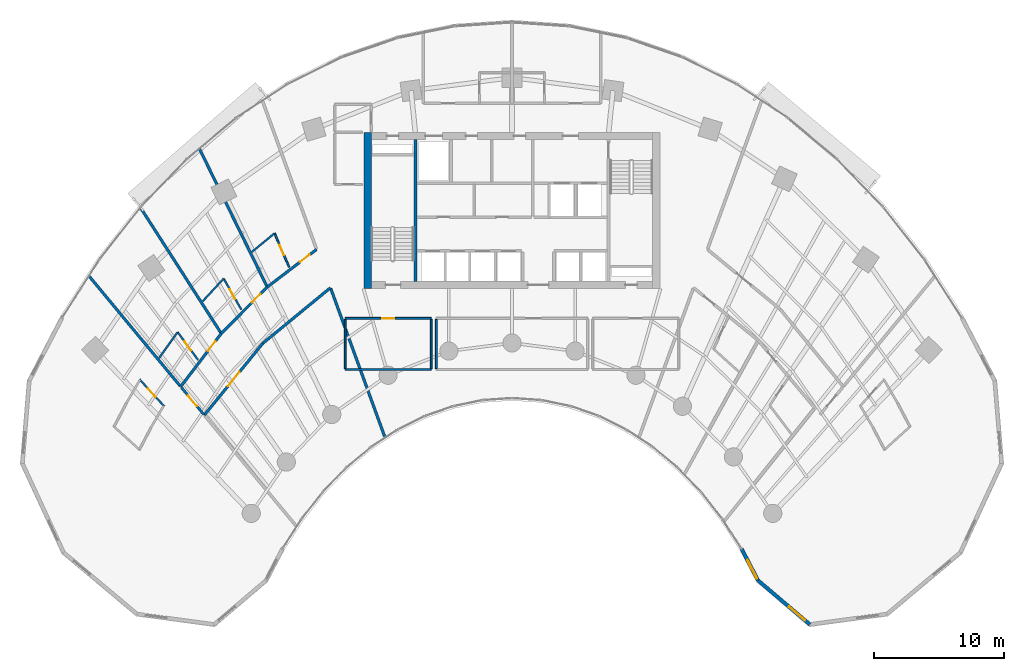
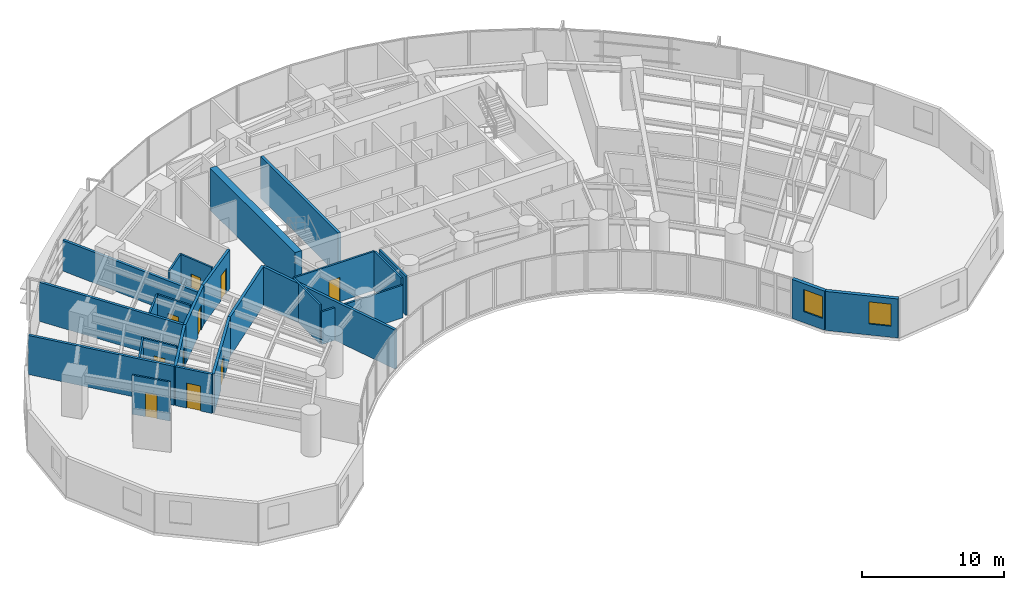
# One storey, part 11 of 17: 26 walls, 10 doors, 2 windows, 12 openings.
"""IFC4 building model written with IfcOpenShell, lengths in metres."""

from ifc_helpers import new_model, si_unit, direction, frame, frame_2d, origin, place, context, subcontext, project, spatial, rectangle, extrude, source, transform, mapped, material, layer, layer_set, type_object, type_shapes, element, fill, save


model = new_model("IFC4")

# Units and contexts
model_context = context("Model", 3, precision=1e-05, world=origin(), true_north=direction((0.0, 1.0)))
body_context = subcontext(model_context, "Body", "Model", "MODEL_VIEW")
ifc_project = project(units=[si_unit("LENGTHUNIT", "METRE"), si_unit("AREAUNIT", "SQUARE_METRE"), si_unit("VOLUMEUNIT", "CUBIC_METRE"), si_unit("PLANEANGLEUNIT", "RADIAN"), si_unit("MASSUNIT", "GRAM", prefix="KILO")], contexts=[model_context])

# Site, building, storey
site_placement = place(None, origin())
site = spatial("IfcSite", under=ifc_project, at=site_placement, CompositionType="ELEMENT")
building_placement = place(site_placement, origin())
building = spatial("IfcBuilding", under=site, at=building_placement, Name="Breltana Convention Tower", CompositionType="ELEMENT")
storey_placement = place(building_placement, frame((0.0, 0.0, 71.39990234375)))
storey = spatial("IfcBuildingStorey", under=building, at=storey_placement, Name="L16", CompositionType="ELEMENT", Elevation=71.39990234375)

# Walls
ifc_material_1 = material(Name="Concrete C60/75", Category="concrete")
ifc_layer_1 = layer(ifc_material_1, 0.550048828125, Name="Concrete C60/75")
ifc_layer_set_1 = layer_set([ifc_layer_1], Name="Concrete C60/75")
wall_type_1 = type_object("IfcWallType", Name="SW-CORE-550", PredefinedType="SHEAR", material=ifc_layer_set_1)
shared_shape_1 = source(origin(), body_context, "Body", "SweptSolid", [
    extrude(rectangle(XDim=12.0, YDim=0.550048828125, at=frame_2d((6.0, 0.0))), origin(), (0.0, 0.0, 1.0), 3.60009765625),
])
wall_1_placement = place(storey_placement, frame((36.925048828125, 60.199951171875, 0.0), z_axis=(0.0, 0.0, 1.0), x_axis=(0.0, 1.0, 0.0)))
element("IfcWall", 1, at=wall_1_placement, inside=storey, type_object=wall_type_1, Name="L16 West Core Shear Wall", PredefinedType="SHEAR", context=body_context, shape_type="MappedRepresentation", body=[
    mapped(shared_shape_1, transform((0.0, 0.0, 0.0), scale=1.0)),
])
ifc_material_2 = material(Name="Concrete C50/60", Category="concrete")
ifc_layer_2 = layer(ifc_material_2, 0.39990234375, Name="Concrete C50/60")
ifc_layer_set_2 = layer_set([ifc_layer_2], Name="Concrete C50/60")
wall_type_2 = type_object("IfcWallType", Name="SW-CORE-400", PredefinedType="SHEAR", material=ifc_layer_set_2)
shared_shape_2 = source(origin(), body_context, "Body", "SweptSolid", [
    extrude(rectangle(XDim=10.89990234375, YDim=0.219970703125, at=frame_2d((5.449951171875, 0.0))), origin(), (0.0, 0.0, 1.0), 3.60009765625),
])
wall_2_placement = place(storey_placement, frame((40.580078125, 60.75, 0.0), z_axis=(0.0, 0.0, 1.0), x_axis=(0.0, 1.0, 0.0)))
element("IfcWall", 2, at=wall_2_placement, inside=storey, type_object=wall_type_2, Name="L16 Core West Stair Spine Wall", PredefinedType="SHEAR", context=body_context, shape_type="MappedRepresentation", body=[
    mapped(shared_shape_2, transform((0.0, 0.0, 0.0), scale=1.0)),
])

# Wall, opening, window
ifc_material_3 = material(Name="Limestone Buff Insulated Wall", Category="masonry")
ifc_layer_3 = layer(ifc_material_3, 0.280029296875, Name="Limestone Buff Insulated Wall")
ifc_layer_set_3 = layer_set([ifc_layer_3], Name="Limestone Buff Insulated Wall")
wall_type_3 = type_object("IfcWallType", Name="WL-EXT-NOSE-280", PredefinedType="SOLIDWALL", material=ifc_layer_set_3)
shared_shape_3 = source(origin(), body_context, "Body", "SweptSolid", [
    extrude(rectangle(XDim=5.222412109375, YDim=0.280029296875, at=frame_2d((2.611328125, 0.0))), origin(), (0.0, 0.0, 1.0), 3.360107421875),
])
wall_3_placement = place(storey_placement, frame((70.8642578125, 34.4248046875, 0.0), z_axis=(0.0, 0.0, 1.0), x_axis=(-0.761900099546, 0.647694556339, 0.0)))
wall_3 = element("IfcWall", 3, at=wall_3_placement, inside=storey, type_object=wall_type_3, Name="L16 curved limestone nose wall E5", PredefinedType="SOLIDWALL", context=body_context, shape_type="MappedRepresentation", body=[
    mapped(shared_shape_3, transform((0.0, 0.0, 0.0), scale=1.0)),
])
opening_1_placement = place(wall_3_placement, frame((0.505615234375, 0.0, 0.949951171875)))
opening_1 = element("IfcOpeningElement", 4, at=opening_1_placement, cuts=wall_3, Name="Opening W-04", PredefinedType="OPENING", context=body_context, shape_type="SweptSolid", body=[
    extrude(rectangle(XDim=1.60009765625, YDim=1.89990234375, at=frame_2d((0.800048828125, 0.949951171875))), frame((0.0, 0.14990234375, 0.0), z_axis=(0.0, -1.0, 0.0), x_axis=(1.0, 0.0, 0.0)), (0.0, 0.0, 1.0), 0.300048828125),
])
ifc_material_4 = material(Name="Glass Low-E Insulated Window", Category="glass")
window_type = type_object("IfcWindowType", Name="WN-NOSE-1600X1900", PartitioningType="SINGLE_PANEL", PredefinedType="WINDOW", material=ifc_material_4)
shared_shape_4 = source(origin(), body_context, "Body", "SweptSolid", [
    extrude(rectangle(XDim=1.60009765625, YDim=1.89990234375, at=frame_2d((0.800048828125, 0.949951171875))), frame((0.0, 0.030029296875, 0.0), z_axis=(0.0, -1.0, 0.0), x_axis=(1.0, 0.0, 0.0)), (0.0, 0.0, 1.0), 0.06005859375),
])
type_shapes(window_type, [shared_shape_4])
window_1_placement = place(opening_1_placement, origin())
window_1 = element("IfcWindow", 5, at=window_1_placement, inside=storey, type_object=window_type, Name="L16 nose window E5", OverallHeight=1.89990234375, OverallWidth=1.60009765625, PartitioningType="SINGLE_PANEL", PredefinedType="WINDOW", context=body_context, shape_type="MappedRepresentation", body=[
    mapped(shared_shape_4, transform((0.0, 0.0, 0.0), scale=1.0)),
])
fill(opening_1, window_1)

shared_shape_5 = source(origin(), body_context, "Body", "SweptSolid", [
    extrude(rectangle(XDim=2.7353515625, YDim=0.280029296875, at=frame_2d((1.36767578125, 0.0))), origin(), (0.0, 0.0, 1.0), 3.360107421875),
])
wall_4_placement = place(storey_placement, frame((66.88525390625, 37.807373046875, 0.0), z_axis=(0.0, 0.0, 1.0), x_axis=(-0.46179107292, 0.886988728774, 0.0)))
wall_4 = element("IfcWall", 6, at=wall_4_placement, inside=storey, type_object=wall_type_3, Name="L16 curved limestone nose wall E6", PredefinedType="SOLIDWALL", context=body_context, shape_type="MappedRepresentation", body=[
    mapped(shared_shape_5, transform((0.0, 0.0, 0.0), scale=1.0)),
])
opening_2_placement = place(wall_4_placement, frame((0.159912109375, 0.0, 0.949951171875)))
opening_2 = element("IfcOpeningElement", 7, at=opening_2_placement, cuts=wall_4, Name="Opening W-04", PredefinedType="OPENING", context=body_context, shape_type="SweptSolid", body=[
    extrude(rectangle(XDim=1.60009765625, YDim=1.89990234375, at=frame_2d((0.800048828125, 0.949951171875))), frame((0.0, 0.14990234375, 0.0), z_axis=(0.0, -1.0, 0.0), x_axis=(1.0, 0.0, 0.0)), (0.0, 0.0, 1.0), 0.300048828125),
])
window_2_placement = place(opening_2_placement, origin())
window_2 = element("IfcWindow", 8, at=window_2_placement, inside=storey, type_object=window_type, Name="L16 nose window E6", OverallHeight=1.89990234375, OverallWidth=1.60009765625, PartitioningType="SINGLE_PANEL", PredefinedType="WINDOW", context=body_context, shape_type="MappedRepresentation", body=[
    mapped(shared_shape_4, transform((0.0, 0.0, 0.0), scale=1.0)),
])
fill(opening_2, window_2)

# Wall
ifc_material_5 = material(Name="Gypsum Acoustic Drywall Partition")
ifc_layer_4 = layer(ifc_material_5, 0.14990234375, Name="Gypsum Acoustic Drywall Partition")
ifc_layer_set_4 = layer_set([ifc_layer_4], Name="Gypsum Acoustic Drywall Partition")
wall_type_4 = type_object("IfcWallType", Name="WL-PART-150", PredefinedType="PARTITIONING", material=ifc_layer_set_4)
shared_shape_6 = source(origin(), body_context, "Body", "SweptSolid", [
    extrude(rectangle(XDim=6.60009765625, YDim=0.14990234375, at=frame_2d((3.300048828125, 0.0))), origin(), (0.0, 0.0, 1.0), 2.802978515625),
])
wall_5_placement = place(storey_placement, frame((35.199951171875, 54.0, 0.0), z_axis=(0.0, 0.0, 1.0), x_axis=(1.0, 0.0, 0.0)))
element("IfcWall", 9, at=wall_5_placement, inside=storey, type_object=wall_type_4, Name="L16 interior partition W-L16-HSK-S", PredefinedType="PARTITIONING", context=body_context, shape_type="MappedRepresentation", body=[
    mapped(shared_shape_6, transform((0.0, 0.0, 0.0), scale=1.0)),
])

# Wall, opening, door
shared_shape_7 = source(origin(), body_context, "Body", "SweptSolid", [
    extrude(rectangle(XDim=6.60009765625, YDim=0.14990234375, at=frame_2d((3.300048828125, 0.0))), origin(), (0.0, 0.0, 1.0), 3.360107421875),
])
wall_6_placement = place(storey_placement, frame((35.199951171875, 57.919921875, 0.0), z_axis=(0.0, 0.0, 1.0), x_axis=(1.0, 0.0, 0.0)))
wall_6 = element("IfcWall", 10, at=wall_6_placement, inside=storey, type_object=wall_type_4, Name="L16 interior partition W-L16-HSK-N", PredefinedType="PARTITIONING", context=body_context, shape_type="MappedRepresentation", body=[
    mapped(shared_shape_7, transform((0.0, 0.0, 0.0), scale=1.0)),
])
opening_3_placement = place(wall_6_placement, frame((2.85009765625, 0.0, 0.0)))
opening_3 = element("IfcOpeningElement", 11, at=opening_3_placement, cuts=wall_6, Name="Opening D-18", PredefinedType="OPENING", context=body_context, shape_type="SweptSolid", body=[
    extrude(rectangle(XDim=0.89990234375, YDim=2.10009765625, at=frame_2d((0.449951171875, 1.050048828125))), frame((0.0, 0.0849609375, 0.0), z_axis=(0.0, -1.0, 0.0), x_axis=(1.0, 0.0, 0.0)), (0.0, 0.0, 1.0), 0.169921875),
])
ifc_material_6 = material(Name="Steel Riser Fire Door", Category="steel")
door_type_1 = type_object("IfcDoorType", Name="DR-FD60-900", OperationType="NOTDEFINED", PredefinedType="DOOR", material=ifc_material_6)
shared_shape_8 = source(origin(), body_context, "Body", "SweptSolid", [
    extrude(rectangle(XDim=0.89990234375, YDim=2.10009765625, at=frame_2d((0.449951171875, 1.050048828125))), frame((0.0, 0.02490234375, 0.0), z_axis=(0.0, -1.0, 0.0), x_axis=(1.0, 0.0, 0.0)), (0.0, 0.0, 1.0), 0.050048828125),
])
type_shapes(door_type_1, [shared_shape_8])
door_1_placement = place(opening_3_placement, origin())
door_1 = element("IfcDoor", 12, at=door_1_placement, inside=storey, type_object=door_type_1, Name="L16 interior door D-L16-HSK", OperationType="SINGLE_SWING_RIGHT", OverallHeight=2.10009765625, OverallWidth=0.89990234375, PredefinedType="DOOR", context=body_context, shape_type="MappedRepresentation", body=[
    mapped(shared_shape_8, transform((0.0, 0.0, 0.0), scale=1.0)),
])
fill(opening_3, door_1)

# Walls
shared_shape_9 = source(origin(), body_context, "Body", "SweptSolid", [
    extrude(rectangle(XDim=3.78515625, YDim=0.14990234375, at=frame_2d((1.892578125, 0.0))), origin(), (0.0, 0.0, 1.0), 3.360107421875),
])
for number, where, z_axis, x_axis, name in (
    (13, (35.199951171875, 54.0673828125, 0.0), (0.0, 0.0, 1.0), (0.0, 1.0, 0.0), "L16 interior partition W-L16-HSK-W"),
    (14, (41.800048828125, 54.0673828125, 0.0), (0.0, 0.0, 1.0), (0.0, 1.0, 0.0), "L16 interior partition W-L16-HSK-E"),
    (15, (42.199951171875, 54.0673828125, 0.0), (0.0, 0.0, 1.0), (0.0, 1.0, 0.0), "L16 interior partition W-L16-HLG-W"),
):
    element("IfcWall", number, at=place(storey_placement, frame(where, z_axis=z_axis, x_axis=x_axis)), inside=storey, type_object=wall_type_4, Name=name, PredefinedType="PARTITIONING", context=body_context, shape_type="MappedRepresentation", body=[
        mapped(shared_shape_9, transform((0.0, 0.0, 0.0), scale=1.0)),
    ])

# Wall, opening, door
ifc_material_7 = material(Name="Gypsum Acoustic Hotel Wall")
ifc_layer_5 = layer(ifc_material_7, 0.195068359375, Name="Gypsum Acoustic Hotel Wall")
ifc_layer_set_5 = layer_set([ifc_layer_5], Name="Gypsum Acoustic Hotel Wall")
wall_type_5 = type_object("IfcWallType", Name="WL-HOTEL-200", PredefinedType="PARTITIONING", material=ifc_layer_set_5)
shared_shape_10 = source(origin(), body_context, "Body", "SweptSolid", [
    extrude(rectangle(XDim=2.748291015625, YDim=0.195068359375, at=frame_2d((1.3740234375, 0.0))), origin(), (0.0, 0.0, 1.0), 3.360107421875),
])
wall_7_placement = place(storey_placement, frame((24.35302734375, 50.531005859375, 0.0), z_axis=(0.0, 0.0, 1.0), x_axis=(-0.638111168284, 0.769944242729, 0.0)))
wall_7 = element("IfcWall", 16, at=wall_7_placement, inside=storey, type_object=wall_type_5, Name="L16 interior partition W-L16-CS-W-END", PredefinedType="PARTITIONING", context=body_context, shape_type="MappedRepresentation", body=[
    mapped(shared_shape_10, transform((0.0, 0.0, 0.0), scale=1.0)),
])
opening_4_placement = place(wall_7_placement, frame((0.84912109375, 0.0, 0.0)))
opening_4 = element("IfcOpeningElement", 17, at=opening_4_placement, cuts=wall_7, Name="Opening D-13", PredefinedType="OPENING", context=body_context, shape_type="SweptSolid", body=[
    extrude(rectangle(XDim=1.050048828125, YDim=2.14990234375, at=frame_2d((0.52490234375, 1.074951171875))), frame((0.0, 0.107421875, 0.0), z_axis=(0.0, -1.0, 0.0), x_axis=(1.0, 0.0, 0.0)), (0.0, 0.0, 1.0), 0.215087890625),
])
ifc_material_8 = material(Name="Timber Solid-Core Fire Door", Category="wood")
door_type_2 = type_object("IfcDoorType", Name="DR-FD60-1050", OperationType="NOTDEFINED", PredefinedType="DOOR", material=ifc_material_8)
shared_shape_11 = source(origin(), body_context, "Body", "SweptSolid", [
    extrude(rectangle(XDim=1.050048828125, YDim=2.14990234375, at=frame_2d((0.52490234375, 1.074951171875))), frame((0.0, 0.02490234375, 0.0), z_axis=(0.0, -1.0, 0.0), x_axis=(1.0, 0.0, 0.0)), (0.0, 0.0, 1.0), 0.050048828125),
])
type_shapes(door_type_2, [shared_shape_11])
door_2_placement = place(opening_4_placement, origin())
door_2 = element("IfcDoor", 18, at=door_2_placement, inside=storey, type_object=door_type_2, Name="L16 interior door D-L16-CS-W", OperationType="SINGLE_SWING_LEFT", OverallHeight=2.14990234375, OverallWidth=1.050048828125, PredefinedType="DOOR", context=body_context, shape_type="MappedRepresentation", body=[
    mapped(shared_shape_11, transform((0.0, 0.0, 0.0), scale=1.0)),
])
fill(opening_4, door_2)

ifc_material_9 = material(Name="Moisture-Resistant En-Suite Partition")
ifc_layer_6 = layer(ifc_material_9, 0.139892578125, Name="Moisture-Resistant En-Suite Partition")
ifc_layer_set_6 = layer_set([ifc_layer_6], Name="Moisture-Resistant En-Suite Partition")
wall_type_6 = type_object("IfcWallType", Name="WL-WET-150", PredefinedType="PARTITIONING", material=ifc_layer_set_6)
shared_shape_12 = source(origin(), body_context, "Body", "SweptSolid", [
    extrude(rectangle(XDim=2.812255859375, YDim=0.139892578125, at=frame_2d((1.40625, 0.0))), origin(), (0.0, 0.0, 1.0), 3.360107421875),
])
wall_8_placement = place(storey_placement, frame((21.30322265625, 51.176513671875, 0.0), z_axis=(0.0, 0.0, 1.0), x_axis=(-0.675119025852, 0.737708818527, 0.0)))
wall_8 = element("IfcWall", 19, at=wall_8_placement, inside=storey, type_object=wall_type_6, Name="L16 interior partition W-L16-CSENS-W-W", PredefinedType="PARTITIONING", context=body_context, shape_type="MappedRepresentation", body=[
    mapped(shared_shape_12, transform((0.0, 0.0, 0.0), scale=1.0)),
])
opening_5_placement = place(wall_8_placement, frame((0.981201171875, 0.0, 0.0)))
opening_5 = element("IfcOpeningElement", 20, at=opening_5_placement, cuts=wall_8, Name="Opening D-21", PredefinedType="OPENING", context=body_context, shape_type="SweptSolid", body=[
    extrude(rectangle(XDim=0.85009765625, YDim=2.050048828125, at=frame_2d((0.425048828125, 1.02490234375))), frame((0.0, 0.080078125, 0.0), z_axis=(0.0, -1.0, 0.0), x_axis=(1.0, 0.0, 0.0)), (0.0, 0.0, 1.0), 0.159912109375),
])
ifc_material_10 = material(Name="Timber Moisture-Resistant En-Suite Door", Category="wood")
door_type_3 = type_object("IfcDoorType", Name="DR-WET-850", OperationType="NOTDEFINED", PredefinedType="DOOR", material=ifc_material_10)
shared_shape_13 = source(origin(), body_context, "Body", "SweptSolid", [
    extrude(rectangle(XDim=0.85009765625, YDim=2.050048828125, at=frame_2d((0.425048828125, 1.02490234375))), frame((0.0, 0.02490234375, 0.0), z_axis=(0.0, -1.0, 0.0), x_axis=(1.0, 0.0, 0.0)), (0.0, 0.0, 1.0), 0.050048828125),
])
type_shapes(door_type_3, [shared_shape_13])
door_3_placement = place(opening_5_placement, origin())
door_3 = element("IfcDoor", 21, at=door_3_placement, inside=storey, type_object=door_type_3, Name="L16 interior door D-L16-CSENS-W", OperationType="SINGLE_SWING_RIGHT", OverallHeight=2.050048828125, OverallWidth=0.85009765625, PredefinedType="DOOR", context=body_context, shape_type="MappedRepresentation", body=[
    mapped(shared_shape_13, transform((0.0, 0.0, 0.0), scale=1.0)),
])
fill(opening_5, door_3)

# Wall
shared_shape_14 = source(origin(), body_context, "Body", "SweptSolid", [
    extrude(rectangle(XDim=2.260498046875, YDim=0.139892578125, at=frame_2d((1.13037109375, 0.0))), origin(), (0.0, 0.0, 1.0), 3.360107421875),
])
wall_9_placement = place(storey_placement, frame((28.029296875, 63.01953125, 0.0), z_axis=(0.0, 0.0, 1.0), x_axis=(0.772646789219, 0.634836151388, 0.0)))
element("IfcWall", 22, at=wall_9_placement, inside=storey, type_object=wall_type_6, Name="L16 interior partition W-L16-ST03E-BK", PredefinedType="PARTITIONING", context=body_context, shape_type="MappedRepresentation", body=[
    mapped(shared_shape_14, transform((0.0, 0.0, 0.0), scale=1.0)),
])

# Wall, opening, door
shared_shape_15 = source(origin(), body_context, "Body", "SweptSolid", [
    extrude(rectangle(XDim=2.81884765625, YDim=0.139892578125, at=frame_2d((1.409423828125, 0.0))), origin(), (0.0, 0.0, 1.0), 3.360107421875),
])
wall_10_placement = place(storey_placement, frame((30.8876953125, 61.8642578125, 0.0), z_axis=(0.0, 0.0, 1.0), x_axis=(-0.394420979357, 0.918929861874, 0.0)))
wall_10 = element("IfcWall", 23, at=wall_10_placement, inside=storey, type_object=wall_type_6, Name="L16 interior partition W-L16-ST03E-SD", PredefinedType="PARTITIONING", context=body_context, shape_type="MappedRepresentation", body=[
    mapped(shared_shape_15, transform((0.0, 0.0, 0.0), scale=1.0)),
])
opening_6_placement = place(wall_10_placement, frame((0.984375, 0.0, 0.0)))
opening_6 = element("IfcOpeningElement", 24, at=opening_6_placement, cuts=wall_10, Name="Opening D-21", PredefinedType="OPENING", context=body_context, shape_type="SweptSolid", body=[
    extrude(rectangle(XDim=0.85009765625, YDim=2.050048828125, at=frame_2d((0.425048828125, 1.02490234375))), frame((0.0, 0.080078125, 0.0), z_axis=(0.0, -1.0, 0.0), x_axis=(1.0, 0.0, 0.0)), (0.0, 0.0, 1.0), 0.159912109375),
])
door_4_placement = place(opening_6_placement, origin())
door_4 = element("IfcDoor", 25, at=door_4_placement, inside=storey, type_object=door_type_3, Name="L16 interior door D-L16-ST03E", OperationType="SINGLE_SWING_RIGHT", OverallHeight=2.050048828125, OverallWidth=0.85009765625, PredefinedType="DOOR", context=body_context, shape_type="MappedRepresentation", body=[
    mapped(shared_shape_13, transform((0.0, 0.0, 0.0), scale=1.0)),
])
fill(opening_6, door_4)

# Wall
shared_shape_16 = source(origin(), body_context, "Body", "SweptSolid", [
    extrude(rectangle(XDim=2.38037109375, YDim=0.139892578125, at=frame_2d((1.190185546875, 0.0))), origin(), (0.0, 0.0, 1.0), 3.360107421875),
])
wall_11_placement = place(storey_placement, frame((24.2529296875, 59.231201171875, 0.0), z_axis=(0.0, 0.0, 1.0), x_axis=(0.679084816758, 0.734059814762, 0.0)))
element("IfcWall", 26, at=wall_11_placement, inside=storey, type_object=wall_type_6, Name="L16 interior partition W-L16-ST02E-BK", PredefinedType="PARTITIONING", context=body_context, shape_type="MappedRepresentation", body=[
    mapped(shared_shape_16, transform((0.0, 0.0, 0.0), scale=1.0)),
])

# Wall, opening, door
shared_shape_17 = source(origin(), body_context, "Body", "SweptSolid", [
    extrude(rectangle(XDim=2.734619140625, YDim=0.139892578125, at=frame_2d((1.3671875, 0.0))), origin(), (0.0, 0.0, 1.0), 3.360107421875),
])
wall_12_placement = place(storey_placement, frame((27.219482421875, 58.600341796875, 0.0), z_axis=(0.0, 0.0, 1.0), x_axis=(-0.493694940578, 0.869635156631, 0.0)))
wall_12 = element("IfcWall", 27, at=wall_12_placement, inside=storey, type_object=wall_type_6, Name="L16 interior partition W-L16-ST02E-SD", PredefinedType="PARTITIONING", context=body_context, shape_type="MappedRepresentation", body=[
    mapped(shared_shape_17, transform((0.0, 0.0, 0.0), scale=1.0)),
])
opening_7_placement = place(wall_12_placement, frame((0.9423828125, 0.0, 0.0)))
opening_7 = element("IfcOpeningElement", 28, at=opening_7_placement, cuts=wall_12, Name="Opening D-21", PredefinedType="OPENING", context=body_context, shape_type="SweptSolid", body=[
    extrude(rectangle(XDim=0.85009765625, YDim=2.050048828125, at=frame_2d((0.425048828125, 1.02490234375))), frame((0.0, 0.080078125, 0.0), z_axis=(0.0, -1.0, 0.0), x_axis=(1.0, 0.0, 0.0)), (0.0, 0.0, 1.0), 0.159912109375),
])
door_5_placement = place(opening_7_placement, origin())
door_5 = element("IfcDoor", 29, at=door_5_placement, inside=storey, type_object=door_type_3, Name="L16 interior door D-L16-ST02E", OperationType="SINGLE_SWING_RIGHT", OverallHeight=2.050048828125, OverallWidth=0.85009765625, PredefinedType="DOOR", context=body_context, shape_type="MappedRepresentation", body=[
    mapped(shared_shape_13, transform((0.0, 0.0, 0.0), scale=1.0)),
])
fill(opening_7, door_5)

# Wall
shared_shape_18 = source(origin(), body_context, "Body", "SweptSolid", [
    extrude(rectangle(XDim=2.436767578125, YDim=0.139892578125, at=frame_2d((1.21826171875, 0.0))), origin(), (0.0, 0.0, 1.0), 3.360107421875),
])
wall_13_placement = place(storey_placement, frame((20.9150390625, 54.88623046875, 0.0), z_axis=(0.0, 0.0, 1.0), x_axis=(0.581797219134, 0.813333877204, 0.0)))
element("IfcWall", 30, at=wall_13_placement, inside=storey, type_object=wall_type_6, Name="L16 interior partition W-L16-ST01E-BK", PredefinedType="PARTITIONING", context=body_context, shape_type="MappedRepresentation", body=[
    mapped(shared_shape_18, transform((0.0, 0.0, 0.0), scale=1.0)),
])

# Wall, opening, door
shared_shape_19 = source(origin(), body_context, "Body", "SweptSolid", [
    extrude(rectangle(XDim=2.6416015625, YDim=0.139892578125, at=frame_2d((1.32080078125, 0.0))), origin(), (0.0, 0.0, 1.0), 3.360107421875),
])
wall_14_placement = place(storey_placement, frame((23.898681640625, 54.74072265625, 0.0), z_axis=(0.0, 0.0, 1.0), x_axis=(-0.592789122423, 0.805357719487, 0.0)))
wall_14 = element("IfcWall", 31, at=wall_14_placement, inside=storey, type_object=wall_type_6, Name="L16 interior partition W-L16-ST01E-SD", PredefinedType="PARTITIONING", context=body_context, shape_type="MappedRepresentation", body=[
    mapped(shared_shape_19, transform((0.0, 0.0, 0.0), scale=1.0)),
])
opening_8_placement = place(wall_14_placement, frame((0.895751953125, 0.0, 0.0)))
opening_8 = element("IfcOpeningElement", 32, at=opening_8_placement, cuts=wall_14, Name="Opening D-21", PredefinedType="OPENING", context=body_context, shape_type="SweptSolid", body=[
    extrude(rectangle(XDim=0.85009765625, YDim=2.050048828125, at=frame_2d((0.425048828125, 1.02490234375))), frame((0.0, 0.080078125, 0.0), z_axis=(0.0, -1.0, 0.0), x_axis=(1.0, 0.0, 0.0)), (0.0, 0.0, 1.0), 0.159912109375),
])
door_6_placement = place(opening_8_placement, origin())
door_6 = element("IfcDoor", 33, at=door_6_placement, inside=storey, type_object=door_type_3, Name="L16 interior door D-L16-ST01E", OperationType="SINGLE_SWING_RIGHT", OverallHeight=2.050048828125, OverallWidth=0.85009765625, PredefinedType="DOOR", context=body_context, shape_type="MappedRepresentation", body=[
    mapped(shared_shape_13, transform((0.0, 0.0, 0.0), scale=1.0)),
])
fill(opening_8, door_6)

# Wall
ifc_material_11 = material(Name="Autoclaved Aerated Masonry Blockwork", Category="masonry")
ifc_layer_7 = layer(ifc_material_11, 0.2099609375, Name="Autoclaved Aerated Masonry Blockwork")
ifc_layer_set_7 = layer_set([ifc_layer_7], Name="Autoclaved Aerated Masonry Blockwork")
wall_type_7 = type_object("IfcWallType", Name="WL-PART-200", PredefinedType="PARTITIONING", material=ifc_layer_set_7)
shared_shape_20 = source(origin(), body_context, "Body", "SweptSolid", [
    extrude(rectangle(XDim=11.774658203125, YDim=0.2099609375, at=frame_2d((5.88720703125, 0.0))), origin(), (0.0, 0.0, 1.0), 2.64404296875),
])
wall_15_placement = place(storey_placement, frame((29.1904296875, 60.37060546875, 0.0), z_axis=(0.0, 0.0, 1.0), x_axis=(-0.4401500056, 0.897924257702, 0.0)))
element("IfcWall", 34, at=wall_15_placement, inside=storey, type_object=wall_type_7, Name="L16 interior partition W-L16-ST02-RB", PredefinedType="PARTITIONING", context=body_context, shape_type="MappedRepresentation", body=[
    mapped(shared_shape_20, transform((0.0, 0.0, 0.0), scale=1.0)),
])

# Wall, opening, door
shared_shape_21 = source(origin(), body_context, "Body", "SweptSolid", [
    extrude(rectangle(XDim=7.112548828125, YDim=0.2099609375, at=frame_2d((3.55615234375, 0.0))), origin(), (0.0, 0.0, 1.0), 3.360107421875),
])
wall_16_placement = place(storey_placement, frame((24.3828125, 50.4951171875, 0.0), z_axis=(0.0, 0.0, 1.0), x_axis=(0.63149032532, 0.775383755974, 0.0)))
wall_16 = element("IfcWall", 35, at=wall_16_placement, inside=storey, type_object=wall_type_7, Name="L16 interior partition W-L16-H3IW-COR1", PredefinedType="PARTITIONING", context=body_context, shape_type="MappedRepresentation", body=[
    mapped(shared_shape_21, transform((0.0, 0.0, 0.0), scale=1.0)),
])
opening_9_placement = place(wall_16_placement, frame((2.856201171875, 0.0, 0.0)))
opening_9 = element("IfcOpeningElement", 36, at=opening_9_placement, cuts=wall_16, Name="Opening D-05", PredefinedType="OPENING", context=body_context, shape_type="SweptSolid", body=[
    extrude(rectangle(XDim=1.39990234375, YDim=2.14990234375, at=frame_2d((0.699951171875, 1.074951171875))), frame((0.0, 0.114990234375, 0.0), z_axis=(0.0, -1.0, 0.0), x_axis=(1.0, 0.0, 0.0)), (0.0, 0.0, 1.0), 0.22998046875),
])
ifc_material_12 = material(Name="Timber Veneer Glazed Double Door", Category="wood")
door_type_4 = type_object("IfcDoorType", Name="DR-DBL-1400", OperationType="DOUBLE_DOOR_SINGLE_SWING", PredefinedType="DOOR", material=ifc_material_12)
shared_shape_22 = source(origin(), body_context, "Body", "SweptSolid", [
    extrude(rectangle(XDim=1.39990234375, YDim=2.14990234375, at=frame_2d((0.699951171875, 1.074951171875))), frame((0.0, 0.02490234375, 0.0), z_axis=(0.0, -1.0, 0.0), x_axis=(1.0, 0.0, 0.0)), (0.0, 0.0, 1.0), 0.050048828125),
])
type_shapes(door_type_4, [shared_shape_22])
door_7_placement = place(opening_9_placement, origin())
door_7 = element("IfcDoor", 37, at=door_7_placement, inside=storey, type_object=door_type_4, Name="L16 interior door D-L16-H3IW", OperationType="SINGLE_SWING_LEFT", OverallHeight=2.14990234375, OverallWidth=1.39990234375, PredefinedType="DOOR", context=body_context, shape_type="MappedRepresentation", body=[
    mapped(shared_shape_22, transform((0.0, 0.0, 0.0), scale=1.0)),
])
fill(opening_9, door_7)

# Walls
shared_shape_23 = source(origin(), body_context, "Body", "SweptSolid", [
    extrude(rectangle(XDim=6.72119140625, YDim=0.2099609375, at=frame_2d((3.360595703125, 0.0))), origin(), (0.0, 0.0, 1.0), 3.360107421875),
])
wall_17_placement = place(storey_placement, frame((28.874267578125, 56.010009765625, 0.0), z_axis=(0.0, 0.0, 1.0), x_axis=(0.772828051199, 0.63461547671, 0.0)))
element("IfcWall", 38, at=wall_17_placement, inside=storey, type_object=wall_type_7, Name="L16 interior partition W-L16-H3IW-COR2", PredefinedType="PARTITIONING", context=body_context, shape_type="MappedRepresentation", body=[
    mapped(shared_shape_23, transform((0.0, 0.0, 0.0), scale=1.0)),
])
shared_shape_24 = source(origin(), body_context, "Body", "SweptSolid", [
    extrude(rectangle(XDim=12.1962890625, YDim=0.2099609375, at=frame_2d((6.09814453125, 0.0))), origin(), (0.0, 0.0, 1.0), 3.360107421875),
])
wall_18_placement = place(storey_placement, frame((38.257568359375, 48.766357421875, 0.0), z_axis=(0.0, 0.0, 1.0), x_axis=(-0.342022711534, 0.939691686031, 0.0)))
element("IfcWall", 39, at=wall_18_placement, inside=storey, type_object=wall_type_7, Name="L16 interior partition W-L16-H3IW-RB", PredefinedType="PARTITIONING", context=body_context, shape_type="MappedRepresentation", body=[
    mapped(shared_shape_24, transform((0.0, 0.0, 0.0), scale=1.0)),
])
shared_shape_25 = source(origin(), body_context, "Body", "SweptSolid", [
    extrude(rectangle(XDim=10.974609375, YDim=0.2099609375, at=frame_2d((5.4873046875, 0.0))), origin(), (0.0, 0.0, 1.0), 3.360107421875),
])
wall_19_placement = place(storey_placement, frame((22.539794921875, 52.71875, 0.0), z_axis=(0.0, 0.0, 1.0), x_axis=(-0.638125265812, 0.769932558821, 0.0)))
element("IfcWall", 40, at=wall_19_placement, inside=storey, type_object=wall_type_7, Name="L16 interior partition W-L16-ST01-RA", PredefinedType="PARTITIONING", context=body_context, shape_type="MappedRepresentation", body=[
    mapped(shared_shape_25, transform((0.0, 0.0, 0.0), scale=1.0)),
])

# Wall, opening, door
shared_shape_26 = source(origin(), body_context, "Body", "SweptSolid", [
    extrude(rectangle(XDim=5.134765625, YDim=0.2099609375, at=frame_2d((2.5673828125, 0.0))), origin(), (0.0, 0.0, 1.0), 3.360107421875),
])
wall_20_placement = place(storey_placement, frame((22.569580078125, 52.682861328125, 0.0), z_axis=(0.0, 0.0, 1.0), x_axis=(0.606802199649, 0.794852873494, 0.0)))
wall_20 = element("IfcWall", 41, at=wall_20_placement, inside=storey, type_object=wall_type_7, Name="L16 interior partition W-L16-ST01-COR", PredefinedType="PARTITIONING", context=body_context, shape_type="MappedRepresentation", body=[
    mapped(shared_shape_26, transform((0.0, 0.0, 0.0), scale=1.0)),
])
opening_10_placement = place(wall_20_placement, frame((3.42724609375, 0.0, 0.0)))
opening_10 = element("IfcOpeningElement", 42, at=opening_10_placement, cuts=wall_20, Name="Opening D-14", PredefinedType="OPENING", context=body_context, shape_type="SweptSolid", body=[
    extrude(rectangle(XDim=0.949951171875, YDim=2.14990234375, at=frame_2d((0.47509765625, 1.074951171875))), frame((0.0, 0.114990234375, 0.0), z_axis=(0.0, -1.0, 0.0), x_axis=(1.0, 0.0, 0.0)), (0.0, 0.0, 1.0), 0.22998046875),
])
door_type_5 = type_object("IfcDoorType", Name="DR-FD60-950", OperationType="NOTDEFINED", PredefinedType="DOOR", material=ifc_material_8)
shared_shape_27 = source(origin(), body_context, "Body", "SweptSolid", [
    extrude(rectangle(XDim=0.949951171875, YDim=2.14990234375, at=frame_2d((0.47509765625, 1.074951171875))), frame((0.0, 0.02490234375, 0.0), z_axis=(0.0, -1.0, 0.0), x_axis=(1.0, 0.0, 0.0)), (0.0, 0.0, 1.0), 0.050048828125),
])
type_shapes(door_type_5, [shared_shape_27])
door_8_placement = place(opening_10_placement, origin())
door_8 = element("IfcDoor", 43, at=door_8_placement, inside=storey, type_object=door_type_5, Name="L16 interior door D-L16-ST01", OperationType="SINGLE_SWING_LEFT", OverallHeight=2.14990234375, OverallWidth=0.949951171875, PredefinedType="DOOR", context=body_context, shape_type="MappedRepresentation", body=[
    mapped(shared_shape_27, transform((0.0, 0.0, 0.0), scale=1.0)),
])
fill(opening_10, door_8)

# Wall
shared_shape_28 = source(origin(), body_context, "Body", "SweptSolid", [
    extrude(rectangle(XDim=11.431640625, YDim=0.2099609375, at=frame_2d((5.7158203125, 0.0))), origin(), (0.0, 0.0, 1.0), 3.360107421875),
])
wall_21_placement = place(storey_placement, frame((25.6591796875, 56.8046875, 0.0), z_axis=(0.0, 0.0, 1.0), x_axis=(-0.540196183124, 0.841539115988, 0.0)))
element("IfcWall", 44, at=wall_21_placement, inside=storey, type_object=wall_type_7, Name="L16 interior partition W-L16-ST01-RB", PredefinedType="PARTITIONING", context=body_context, shape_type="MappedRepresentation", body=[
    mapped(shared_shape_28, transform((0.0, 0.0, 0.0), scale=1.0)),
])

# Wall, opening, door
shared_shape_29 = source(origin(), body_context, "Body", "SweptSolid", [
    extrude(rectangle(XDim=5.012451171875, YDim=0.2099609375, at=frame_2d((2.50634765625, 0.0))), origin(), (0.0, 0.0, 1.0), 3.360107421875),
])
wall_22_placement = place(storey_placement, frame((25.685302734375, 56.76416015625, 0.0), z_axis=(0.0, 0.0, 1.0), x_axis=(0.703664626435, 0.710532260707, 0.0)))
wall_22 = element("IfcWall", 45, at=wall_22_placement, inside=storey, type_object=wall_type_7, Name="L16 interior partition W-L16-ST02-COR", PredefinedType="PARTITIONING", context=body_context, shape_type="MappedRepresentation", body=[
    mapped(shared_shape_29, transform((0.0, 0.0, 0.0), scale=1.0)),
])
opening_11_placement = place(wall_22_placement, frame((3.334716796875, 0.0, 0.0)))
opening_11 = element("IfcOpeningElement", 46, at=opening_11_placement, cuts=wall_22, Name="Opening D-14", PredefinedType="OPENING", context=body_context, shape_type="SweptSolid", body=[
    extrude(rectangle(XDim=0.949951171875, YDim=2.14990234375, at=frame_2d((0.47509765625, 1.074951171875))), frame((0.0, 0.114990234375, 0.0), z_axis=(0.0, -1.0, 0.0), x_axis=(1.0, 0.0, 0.0)), (0.0, 0.0, 1.0), 0.22998046875),
])
door_9_placement = place(opening_11_placement, origin())
door_9 = element("IfcDoor", 47, at=door_9_placement, inside=storey, type_object=door_type_5, Name="L16 interior door D-L16-ST02", OperationType="SINGLE_SWING_LEFT", OverallHeight=2.14990234375, OverallWidth=0.949951171875, PredefinedType="DOOR", context=body_context, shape_type="MappedRepresentation", body=[
    mapped(shared_shape_27, transform((0.0, 0.0, 0.0), scale=1.0)),
])
fill(opening_11, door_9)

shared_shape_30 = source(origin(), body_context, "Body", "SweptSolid", [
    extrude(rectangle(XDim=4.76220703125, YDim=0.2099609375, at=frame_2d((2.381103515625, 0.0))), origin(), (0.0, 0.0, 1.0), 3.360107421875),
])
wall_23_placement = place(storey_placement, frame((29.21240234375, 60.32568359375, 0.0), z_axis=(0.0, 0.0, 1.0), x_axis=(0.795070295872, 0.60651729128, 0.0)))
wall_23 = element("IfcWall", 48, at=wall_23_placement, inside=storey, type_object=wall_type_7, Name="L16 interior partition W-L16-ST03-COR", PredefinedType="PARTITIONING", context=body_context, shape_type="MappedRepresentation", body=[
    mapped(shared_shape_30, transform((0.0, 0.0, 0.0), scale=1.0)),
])
opening_12_placement = place(wall_23_placement, frame((3.144287109375, 0.0, 0.0)))
opening_12 = element("IfcOpeningElement", 49, at=opening_12_placement, cuts=wall_23, Name="Opening D-14", PredefinedType="OPENING", context=body_context, shape_type="SweptSolid", body=[
    extrude(rectangle(XDim=0.949951171875, YDim=2.14990234375, at=frame_2d((0.47509765625, 1.074951171875))), frame((0.0, 0.114990234375, 0.0), z_axis=(0.0, -1.0, 0.0), x_axis=(1.0, 0.0, 0.0)), (0.0, 0.0, 1.0), 0.22998046875),
])
door_10_placement = place(opening_12_placement, origin())
door_10 = element("IfcDoor", 50, at=door_10_placement, inside=storey, type_object=door_type_5, Name="L16 interior door D-L16-ST03", OperationType="SINGLE_SWING_LEFT", OverallHeight=2.14990234375, OverallWidth=0.949951171875, PredefinedType="DOOR", context=body_context, shape_type="MappedRepresentation", body=[
    mapped(shared_shape_27, transform((0.0, 0.0, 0.0), scale=1.0)),
])
fill(opening_12, door_10)

save(model, "model.ifc")
